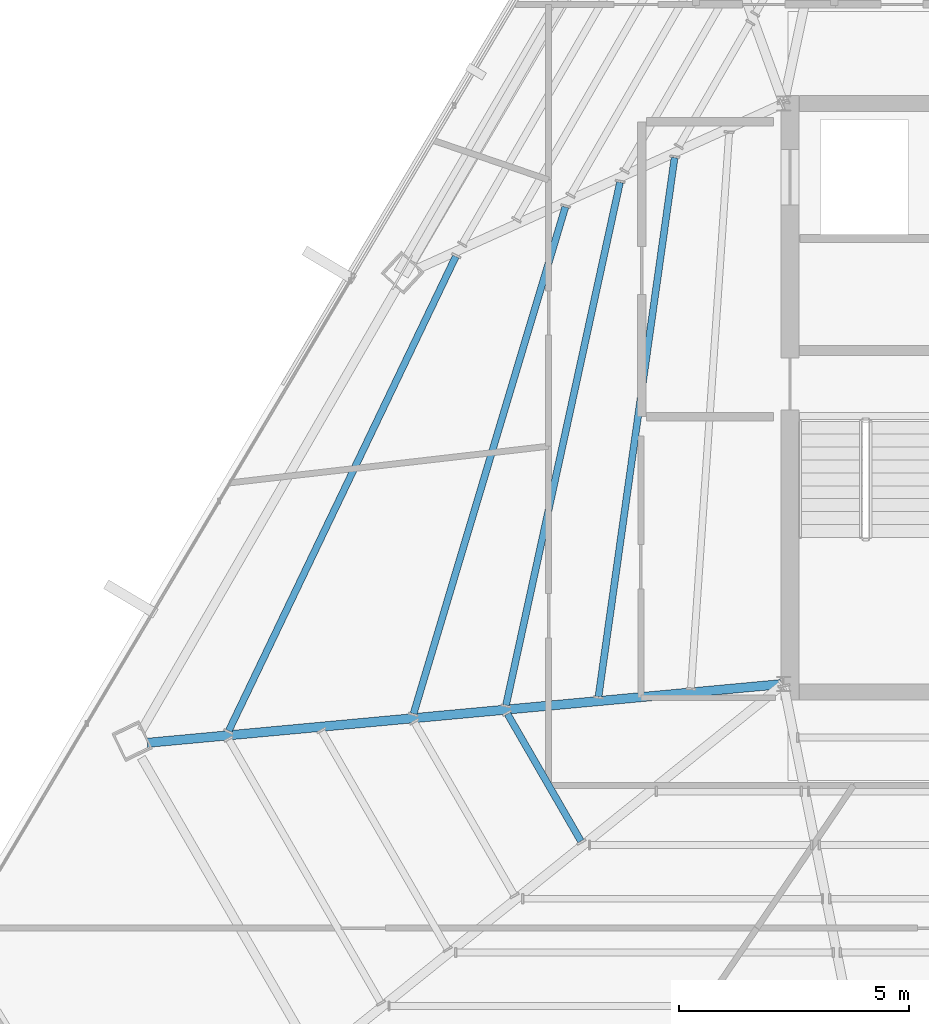
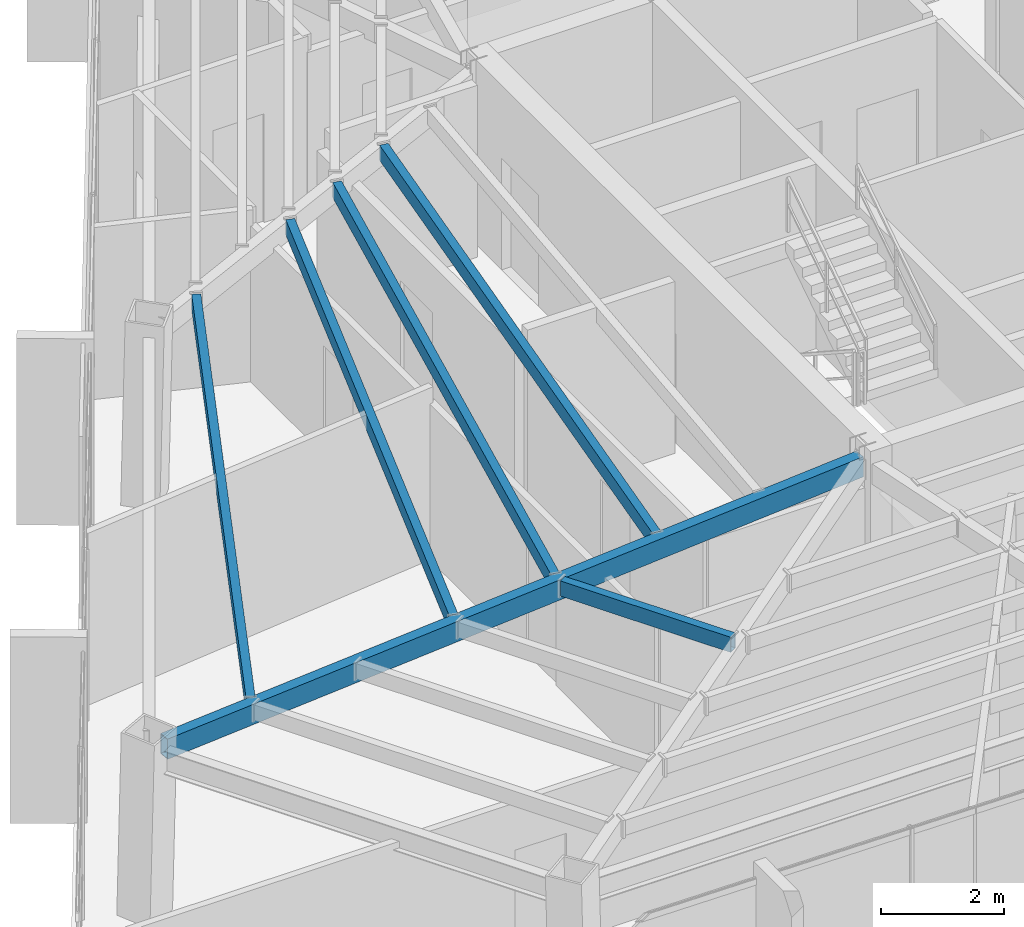
# One storey, part 10 of 47: 6 beams.
"""IFC4 building model written with IfcOpenShell, lengths in metres."""

from ifc_helpers import new_model, si_unit, direction, frame, origin, origin_2d, place, context, subcontext, project, spatial, hollow_rectangle, extrude, source, transform, mapped, material, material_profile, profile_set, type_object, type_shapes, element, save


model = new_model("IFC4")

# Units and contexts
model_context = context("Model", 3, precision=1e-05, world=origin(), true_north=direction((0.0, 1.0)))
body_context = subcontext(model_context, "Body", "Model", "MODEL_VIEW")
ifc_project = project(units=[si_unit("LENGTHUNIT", "METRE"), si_unit("AREAUNIT", "SQUARE_METRE"), si_unit("VOLUMEUNIT", "CUBIC_METRE"), si_unit("PLANEANGLEUNIT", "RADIAN"), si_unit("MASSUNIT", "GRAM", prefix="KILO")], contexts=[model_context])

# Site, building, storey
site_placement = place(None, origin())
site = spatial("IfcSite", under=ifc_project, at=site_placement, CompositionType="ELEMENT")
building_placement = place(site_placement, origin())
building = spatial("IfcBuilding", under=site, at=building_placement, Name="Caelisora Broadcast Tower", CompositionType="ELEMENT")
storey_placement = place(building_placement, frame((0.0, 0.0, 248.10009765625)))
storey = spatial("IfcBuildingStorey", under=building, at=storey_placement, Name="L65", CompositionType="ELEMENT", Elevation=248.10009765625)

# Beams
ifc_material = material(Name="Steel Grade 350 (AS/NZS 1163 C350L0)", Category="steel")
ifc_material_profile_1 = material_profile(ifc_material, hollow_rectangle(XDim=0.199951171875, YDim=0.39990234375, WallThickness=0.012451171875, at=origin_2d()), Name="Steel Grade 350 (AS/NZS 1163 C350L0)")
ifc_profile_set_1 = profile_set([ifc_material_profile_1], Name="Steel Grade 350 (AS/NZS 1163 C350L0)")
beam_type_1 = type_object("IfcBeamType", Name="PG07", PredefinedType="BEAM", material=ifc_profile_set_1)
shared_shape_1 = source(origin(), body_context, "Body", "SweptSolid", [
    extrude(hollow_rectangle(XDim=0.199951171875, YDim=0.39990234375, WallThickness=0.012451171875, at=origin_2d()), origin(), (0.0, 0.0, 1.0), 13.810546875),
])
type_shapes(beam_type_1, [shared_shape_1])
beam_1_placement = place(storey_placement, frame((30.440185546875, 17.39453125, 3.199951171875), z_axis=(-0.995739802442, -0.092207623512, 0.0), x_axis=(0.092207623512, -0.995739802442, 0.0)))
element("IfcBeam", 1, at=beam_1_placement, inside=storey, type_object=beam_type_1, Name="L65 beam PG07", PredefinedType="BEAM", context=body_context, shape_type="MappedRepresentation", body=[
    mapped(shared_shape_1, transform((0.0, 0.0, 0.0), scale=1.0)),
])
ifc_material_profile_2 = material_profile(ifc_material, hollow_rectangle(XDim=0.14990234375, YDim=0.300048828125, WallThickness=0.010009765625, at=origin_2d()), Name="Steel Grade 350 (AS/NZS 1163 C350L0)")
ifc_profile_set_2 = profile_set([ifc_material_profile_2], Name="Steel Grade 350 (AS/NZS 1163 C350L0)")
beam_type_2 = type_object("IfcBeamType", Name="SB05", PredefinedType="JOIST", material=ifc_profile_set_2)
shared_shape_2 = source(origin(), body_context, "Body", "SweptSolid", [
    extrude(hollow_rectangle(XDim=0.14990234375, YDim=0.300048828125, WallThickness=0.010009765625, at=origin_2d()), origin(), (0.0, 0.0, 1.0), 11.814697265625),
])
beam_2_placement = place(storey_placement, frame((28.134033203125, 28.82421875, 3.25), z_axis=(-0.139751902097, -0.99018655104, 0.0), x_axis=(0.99018655104, -0.139751902097, 0.0)))
element("IfcBeam", 2, at=beam_2_placement, inside=storey, type_object=beam_type_2, Name="L65 beam SB05", PredefinedType="JOIST", context=body_context, shape_type="MappedRepresentation", body=[
    mapped(shared_shape_2, transform((0.0, 0.0, 0.0), scale=1.0)),
])
shared_shape_3 = source(origin(), body_context, "Body", "SweptSolid", [
    extrude(hollow_rectangle(XDim=0.14990234375, YDim=0.300048828125, WallThickness=0.010009765625, at=origin_2d()), origin(), (0.0, 0.0, 1.0), 11.61572265625),
])
beam_3_placement = place(storey_placement, frame((26.94921875, 28.288818359375, 3.25), z_axis=(-0.2129784769, -0.977056891065, 0.0), x_axis=(0.977056891065, -0.2129784769, 0.0)))
element("IfcBeam", 3, at=beam_3_placement, inside=storey, type_object=beam_type_2, Name="L65 beam SB05", PredefinedType="JOIST", context=body_context, shape_type="MappedRepresentation", body=[
    mapped(shared_shape_3, transform((0.0, 0.0, 0.0), scale=1.0)),
])
shared_shape_4 = source(origin(), body_context, "Body", "SweptSolid", [
    extrude(hollow_rectangle(XDim=0.14990234375, YDim=0.300048828125, WallThickness=0.010009765625, at=origin_2d()), origin(), (0.0, 0.0, 1.0), 11.48193359375),
])
beam_4_placement = place(storey_placement, frame((25.76318359375, 27.7529296875, 3.25), z_axis=(-0.286965518725, -0.957940912094, 0.0), x_axis=(0.957940912094, -0.286965518725, 0.0)))
element("IfcBeam", 4, at=beam_4_placement, inside=storey, type_object=beam_type_2, Name="L65 beam SB05", PredefinedType="JOIST", context=body_context, shape_type="MappedRepresentation", body=[
    mapped(shared_shape_4, transform((0.0, 0.0, 0.0), scale=1.0)),
])
shared_shape_5 = source(origin(), body_context, "Body", "SweptSolid", [
    extrude(hollow_rectangle(XDim=0.14990234375, YDim=0.300048828125, WallThickness=0.010009765625, at=origin_2d()), origin(), (0.0, 0.0, 1.0), 11.413818359375),
])
beam_5_placement = place(storey_placement, frame((23.384521484375, 26.677978515625, 3.25), z_axis=(-0.431772597712, -0.901982496429, 0.0), x_axis=(0.901982496429, -0.431772597712, 0.0)))
element("IfcBeam", 5, at=beam_5_placement, inside=storey, type_object=beam_type_2, Name="L65 beam SB05", PredefinedType="JOIST", context=body_context, shape_type="MappedRepresentation", body=[
    mapped(shared_shape_5, transform((0.0, 0.0, 0.0), scale=1.0)),
])
shared_shape_6 = source(origin(), body_context, "Body", "SweptSolid", [
    extrude(hollow_rectangle(XDim=0.14990234375, YDim=0.300048828125, WallThickness=0.010009765625, at=origin_2d()), origin(), (0.0, 0.0, 1.0), 3.1865234375),
])
type_shapes(beam_type_2, [shared_shape_2, shared_shape_3, shared_shape_4, shared_shape_5, shared_shape_6])
beam_6_placement = place(storey_placement, frame((24.507080078125, 16.747314453125, 3.25), z_axis=(0.500012062035, -0.866018439653, 0.0), x_axis=(0.866018439653, 0.500012062035, 0.0)))
element("IfcBeam", 6, at=beam_6_placement, inside=storey, type_object=beam_type_2, Name="L65 beam SB05", PredefinedType="JOIST", context=body_context, shape_type="MappedRepresentation", body=[
    mapped(shared_shape_6, transform((0.0, 0.0, 0.0), scale=1.0)),
])

save(model, "model.ifc")
